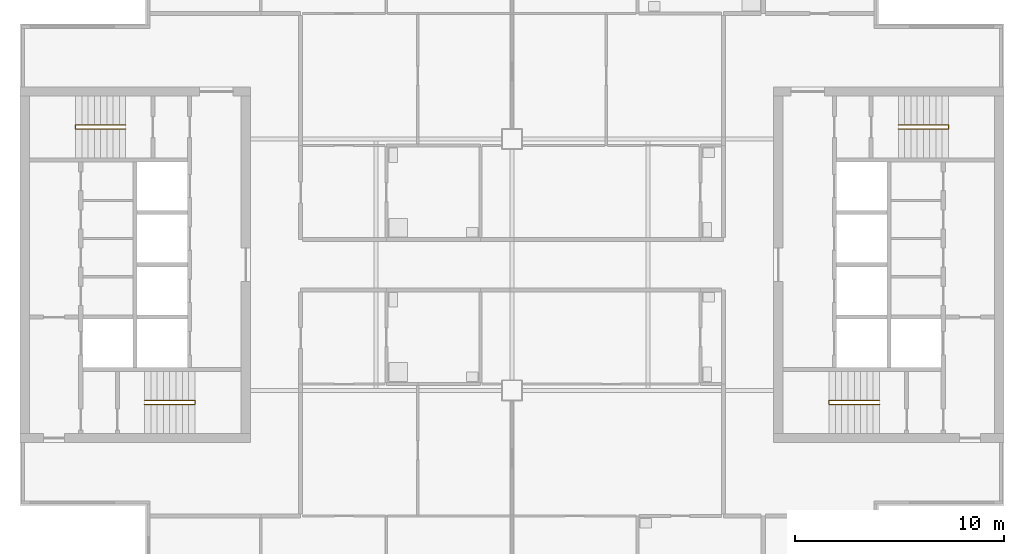
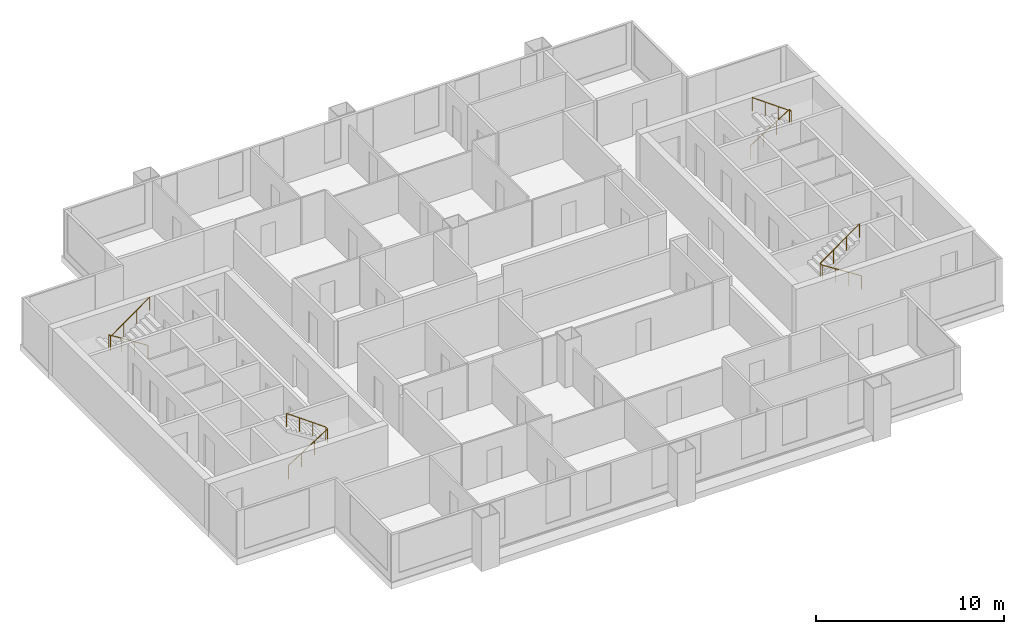
# One storey, part 7 of 8: 4 railings.
"""IFC4 building model written with IfcOpenShell, lengths in metres."""

from ifc_helpers import new_model, si_unit, direction, frame, origin, origin_2d, place, context, subcontext, project, spatial, circle, extrude, material, type_object, element, save


model = new_model("IFC4")

# Units and contexts
model_context = context("Model", 3, precision=1e-05, world=origin(), true_north=direction((0.0, 1.0)))
body_context = subcontext(model_context, "Body", "Model", "MODEL_VIEW")
ifc_project = project(units=[si_unit("LENGTHUNIT", "METRE"), si_unit("AREAUNIT", "SQUARE_METRE"), si_unit("VOLUMEUNIT", "CUBIC_METRE"), si_unit("PLANEANGLEUNIT", "RADIAN"), si_unit("MASSUNIT", "GRAM", prefix="KILO")], contexts=[model_context])

# Site, building, storey
site_placement = place(None, origin())
site = spatial("IfcSite", under=ifc_project, at=site_placement, CompositionType="ELEMENT")
building_placement = place(site_placement, origin())
building = spatial("IfcBuilding", under=site, at=building_placement, Name="Kitamizu Gate Tower and Museum", CompositionType="ELEMENT")
storey_placement = place(building_placement, frame((0.0, 0.0, 231.75)))
storey = spatial("IfcBuildingStorey", under=building, at=storey_placement, Name="L62", CompositionType="ELEMENT", Elevation=231.75)

# Railings
ifc_material = material(Name="Stainless steel SUS304", Category="steel")
railing_type = type_object("IfcRailingType", Name="Stair handrail 900", PredefinedType="HANDRAIL", material=ifc_material)
railing_1_placement = place(storey_placement, frame((18.449951171875, 23.324951171875, 0.191650390625)))
element("IfcRailing", 1, at=railing_1_placement, inside=storey, type_object=railing_type, Name="Stair handrail ST1", PredefinedType="HANDRAIL", context=body_context, shape_type="SweptSolid", body=[
    extrude(circle(Radius=0.02392578125, at=origin_2d()), frame((0.0, 0.0, 0.8759765625), z_axis=(0.842693018954, 0.0, 0.538394349715), x_axis=(0.0, 1.0, 0.0)), (0.0, 0.0, 1.0), 2.84814453125),
    extrude(circle(Radius=0.02392578125, at=origin_2d()), frame((2.400146484375, 0.0, 2.4091796875), z_axis=(0.0, 1.0, 0.0), x_axis=(-1.0, 0.0, 0.0)), (0.0, 0.0, 1.0), 0.199951171875),
    extrude(circle(Radius=0.02392578125, at=origin_2d()), frame((2.400146484375, 0.199951171875, 2.4091796875), z_axis=(-0.812055739374, 0.0, 0.583579879837), x_axis=(0.0, -1.0, 0.0)), (0.0, 0.0, 1.0), 2.95556640625),
    extrude(circle(Radius=0.02099609375, at=origin_2d()), origin(), (0.0, 0.0, 1.0), 0.851806640625),
    extrude(circle(Radius=0.02099609375, at=origin_2d()), frame((0.800048828125, 0.0, 0.51123046875)), (0.0, 0.0, 1.0), 0.851806640625),
    extrude(circle(Radius=0.02099609375, at=origin_2d()), frame((1.60009765625, 0.0, 1.022216796875)), (0.0, 0.0, 1.0), 0.851806640625),
    extrude(circle(Radius=0.02099609375, at=origin_2d()), frame((2.400146484375, 0.0, 1.533447265625)), (0.0, 0.0, 1.0), 0.851806640625),
    extrude(circle(Radius=0.02099609375, at=origin_2d()), frame((2.400146484375, 0.199951171875, 1.533447265625)), (0.0, 0.0, 1.0), 0.851806640625),
    extrude(circle(Radius=0.02099609375, at=origin_2d()), frame((1.60009765625, 0.199951171875, 2.1083984375)), (0.0, 0.0, 1.0), 0.851806640625),
    extrude(circle(Radius=0.02099609375, at=origin_2d()), frame((0.800048828125, 0.199951171875, 2.683349609375)), (0.0, 0.0, 1.0), 0.851806640625),
    extrude(circle(Radius=0.02099609375, at=origin_2d()), frame((0.0, 0.199951171875, 3.25830078125)), (0.0, 0.0, 1.0), 0.851806640625),
])
railing_2_placement = place(storey_placement, frame((17.550048828125, 36.675048828125, 0.191650390625)))
element("IfcRailing", 2, at=railing_2_placement, inside=storey, type_object=railing_type, Name="Stair handrail ST2", PredefinedType="HANDRAIL", context=body_context, shape_type="SweptSolid", body=[
    extrude(circle(Radius=0.02392578125, at=origin_2d()), frame((0.0, 0.0, 0.8759765625), z_axis=(-0.842693018954, 0.0, 0.538394349715), x_axis=(0.0, -1.0, 0.0)), (0.0, 0.0, 1.0), 2.84814453125),
    extrude(circle(Radius=0.02392578125, at=origin_2d()), frame((-2.400146484375, 0.0, 2.4091796875), z_axis=(0.0, -1.0, 0.0), x_axis=(1.0, 0.0, 0.0)), (0.0, 0.0, 1.0), 0.199951171875),
    extrude(circle(Radius=0.02392578125, at=origin_2d()), frame((-2.400146484375, -0.199951171875, 2.4091796875), z_axis=(0.812055739374, 0.0, 0.583579879837), x_axis=(0.0, 1.0, 0.0)), (0.0, 0.0, 1.0), 2.95556640625),
    extrude(circle(Radius=0.02099609375, at=origin_2d()), origin(), (0.0, 0.0, 1.0), 0.851806640625),
    extrude(circle(Radius=0.02099609375, at=origin_2d()), frame((-0.800048828125, 0.0, 0.51123046875)), (0.0, 0.0, 1.0), 0.851806640625),
    extrude(circle(Radius=0.02099609375, at=origin_2d()), frame((-1.60009765625, 0.0, 1.022216796875)), (0.0, 0.0, 1.0), 0.851806640625),
    extrude(circle(Radius=0.02099609375, at=origin_2d()), frame((-2.400146484375, 0.0, 1.533447265625)), (0.0, 0.0, 1.0), 0.851806640625),
    extrude(circle(Radius=0.02099609375, at=origin_2d()), frame((-2.400146484375, -0.199951171875, 1.533447265625)), (0.0, 0.0, 1.0), 0.851806640625),
    extrude(circle(Radius=0.02099609375, at=origin_2d()), frame((-1.60009765625, -0.199951171875, 2.1083984375)), (0.0, 0.0, 1.0), 0.851806640625),
    extrude(circle(Radius=0.02099609375, at=origin_2d()), frame((-0.800048828125, -0.199951171875, 2.683349609375)), (0.0, 0.0, 1.0), 0.851806640625),
    extrude(circle(Radius=0.02099609375, at=origin_2d()), frame((0.0, -0.199951171875, 3.25830078125)), (0.0, 0.0, 1.0), 0.851806640625),
])
railing_3_placement = place(storey_placement, frame((53.550048828125, 23.324951171875, 0.191650390625)))
element("IfcRailing", 3, at=railing_3_placement, inside=storey, type_object=railing_type, Name="Stair handrail ST3", PredefinedType="HANDRAIL", context=body_context, shape_type="SweptSolid", body=[
    extrude(circle(Radius=0.02392578125, at=origin_2d()), frame((0.0, 0.0, 0.8759765625), z_axis=(-0.842693018954, 0.0, 0.538394349715), x_axis=(0.0, -1.0, 0.0)), (0.0, 0.0, 1.0), 2.84814453125),
    extrude(circle(Radius=0.02392578125, at=origin_2d()), frame((-2.400146484375, 0.0, 2.4091796875), z_axis=(0.0, 1.0, 0.0), x_axis=(-1.0, 0.0, 0.0)), (0.0, 0.0, 1.0), 0.199951171875),
    extrude(circle(Radius=0.02392578125, at=origin_2d()), frame((-2.400146484375, 0.199951171875, 2.4091796875), z_axis=(0.812055739374, 0.0, 0.583579879837), x_axis=(0.0, 1.0, 0.0)), (0.0, 0.0, 1.0), 2.95556640625),
    extrude(circle(Radius=0.02099609375, at=origin_2d()), origin(), (0.0, 0.0, 1.0), 0.851806640625),
    extrude(circle(Radius=0.02099609375, at=origin_2d()), frame((-0.800048828125, 0.0, 0.51123046875)), (0.0, 0.0, 1.0), 0.851806640625),
    extrude(circle(Radius=0.02099609375, at=origin_2d()), frame((-1.60009765625, 0.0, 1.022216796875)), (0.0, 0.0, 1.0), 0.851806640625),
    extrude(circle(Radius=0.02099609375, at=origin_2d()), frame((-2.400146484375, 0.0, 1.533447265625)), (0.0, 0.0, 1.0), 0.851806640625),
    extrude(circle(Radius=0.02099609375, at=origin_2d()), frame((-2.400146484375, 0.199951171875, 1.533447265625)), (0.0, 0.0, 1.0), 0.851806640625),
    extrude(circle(Radius=0.02099609375, at=origin_2d()), frame((-1.60009765625, 0.199951171875, 2.1083984375)), (0.0, 0.0, 1.0), 0.851806640625),
    extrude(circle(Radius=0.02099609375, at=origin_2d()), frame((-0.800048828125, 0.199951171875, 2.683349609375)), (0.0, 0.0, 1.0), 0.851806640625),
    extrude(circle(Radius=0.02099609375, at=origin_2d()), frame((0.0, 0.199951171875, 3.25830078125)), (0.0, 0.0, 1.0), 0.851806640625),
])
railing_4_placement = place(storey_placement, frame((54.449951171875, 36.675048828125, 0.191650390625)))
element("IfcRailing", 4, at=railing_4_placement, inside=storey, type_object=railing_type, Name="Stair handrail ST4", PredefinedType="HANDRAIL", context=body_context, shape_type="SweptSolid", body=[
    extrude(circle(Radius=0.02392578125, at=origin_2d()), frame((0.0, 0.0, 0.8759765625), z_axis=(0.842693018954, 0.0, 0.538394349715), x_axis=(0.0, 1.0, 0.0)), (0.0, 0.0, 1.0), 2.84814453125),
    extrude(circle(Radius=0.02392578125, at=origin_2d()), frame((2.400146484375, 0.0, 2.4091796875), z_axis=(0.0, -1.0, 0.0), x_axis=(1.0, 0.0, 0.0)), (0.0, 0.0, 1.0), 0.199951171875),
    extrude(circle(Radius=0.02392578125, at=origin_2d()), frame((2.400146484375, -0.199951171875, 2.4091796875), z_axis=(-0.812055739374, 0.0, 0.583579879837), x_axis=(0.0, -1.0, 0.0)), (0.0, 0.0, 1.0), 2.95556640625),
    extrude(circle(Radius=0.02099609375, at=origin_2d()), origin(), (0.0, 0.0, 1.0), 0.851806640625),
    extrude(circle(Radius=0.02099609375, at=origin_2d()), frame((0.800048828125, 0.0, 0.51123046875)), (0.0, 0.0, 1.0), 0.851806640625),
    extrude(circle(Radius=0.02099609375, at=origin_2d()), frame((1.60009765625, 0.0, 1.022216796875)), (0.0, 0.0, 1.0), 0.851806640625),
    extrude(circle(Radius=0.02099609375, at=origin_2d()), frame((2.400146484375, 0.0, 1.533447265625)), (0.0, 0.0, 1.0), 0.851806640625),
    extrude(circle(Radius=0.02099609375, at=origin_2d()), frame((2.400146484375, -0.199951171875, 1.533447265625)), (0.0, 0.0, 1.0), 0.851806640625),
    extrude(circle(Radius=0.02099609375, at=origin_2d()), frame((1.60009765625, -0.199951171875, 2.1083984375)), (0.0, 0.0, 1.0), 0.851806640625),
    extrude(circle(Radius=0.02099609375, at=origin_2d()), frame((0.800048828125, -0.199951171875, 2.683349609375)), (0.0, 0.0, 1.0), 0.851806640625),
    extrude(circle(Radius=0.02099609375, at=origin_2d()), frame((0.0, -0.199951171875, 3.25830078125)), (0.0, 0.0, 1.0), 0.851806640625),
])

save(model, "model.ifc")
